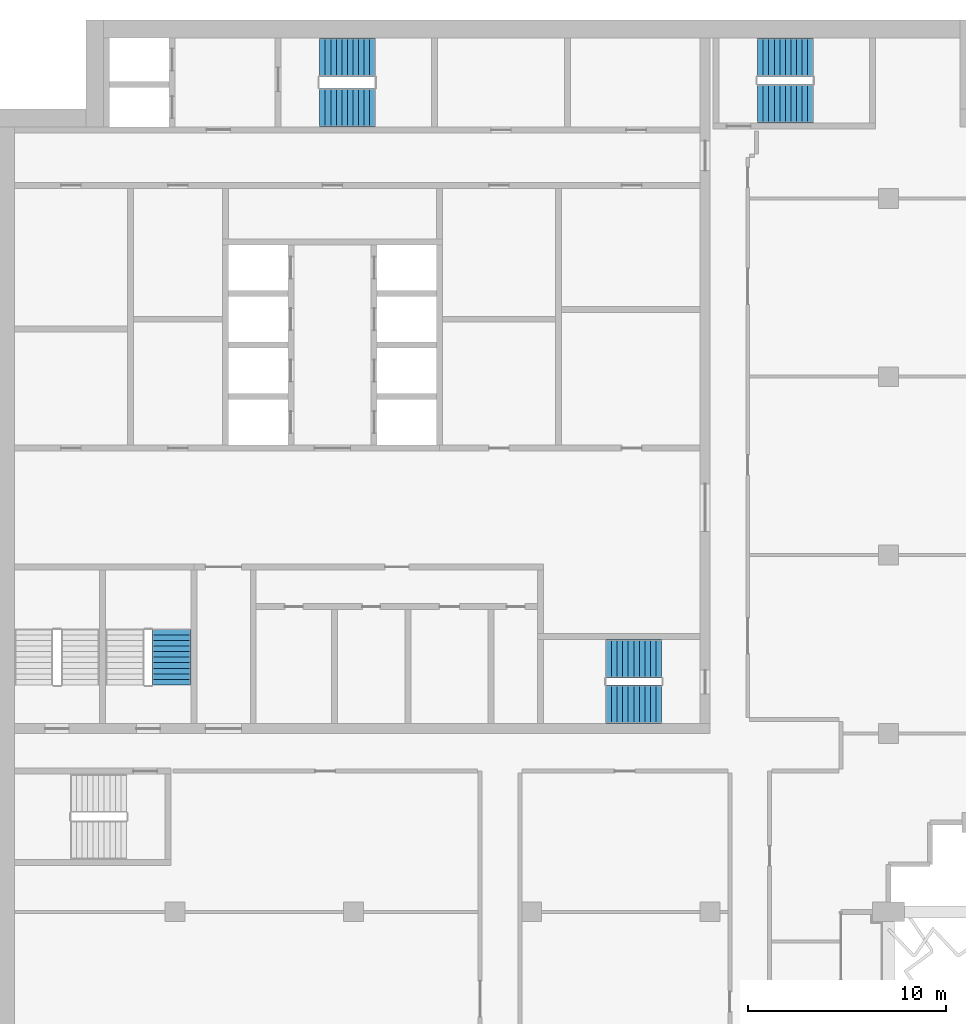
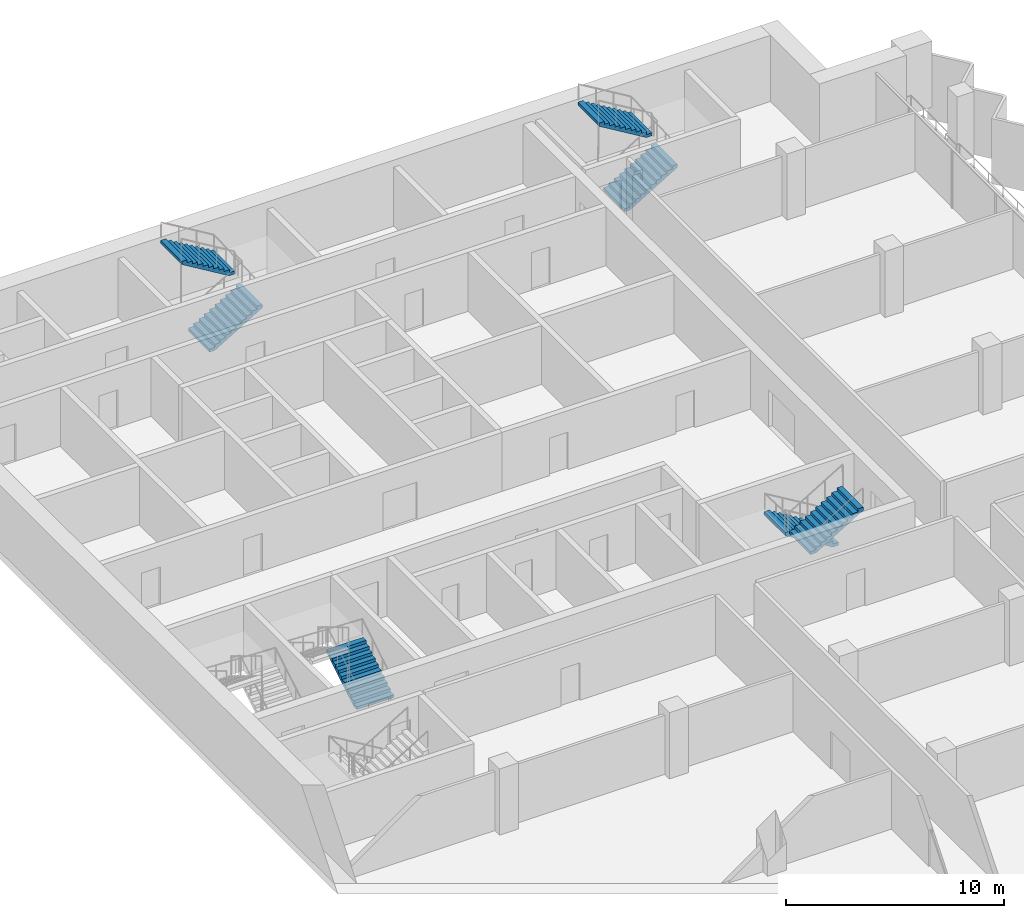
# One storey, part 12 of 16: 7 stair flights, 4 elements without a shape of their own.
"""IFC4 building model written with IfcOpenShell, lengths in metres."""

from ifc_helpers import new_model, si_unit, direction, frame, origin, place, context, subcontext, project, spatial, polyline, outline, extrude, material, type_object, element, aggregate, save


model = new_model("IFC4")

# Units and contexts
model_context = context("Model", 3, precision=1e-05, world=origin(), true_north=direction((0.0, 1.0)))
body_context = subcontext(model_context, "Body", "Model", "MODEL_VIEW")
ifc_project = project(units=[si_unit("LENGTHUNIT", "METRE"), si_unit("AREAUNIT", "SQUARE_METRE"), si_unit("VOLUMEUNIT", "CUBIC_METRE"), si_unit("PLANEANGLEUNIT", "RADIAN"), si_unit("MASSUNIT", "GRAM", prefix="KILO")], contexts=[model_context])

# Site, building, storey
site_placement = place(None, origin())
site = spatial("IfcSite", under=ifc_project, at=site_placement, CompositionType="ELEMENT")
building_placement = place(site_placement, origin())
building = spatial("IfcBuilding", under=site, at=building_placement, Name="Hunhe Ridgeline Campus", CompositionType="ELEMENT")
storey_placement = place(building_placement, frame((0.0, 0.0, 239.199951171875)))
storey = spatial("IfcBuildingStorey", under=building, at=storey_placement, Name="L61", CompositionType="ELEMENT", Elevation=239.199951171875)

# Stair, stair flights
ifc_material = material(Name="Concrete C40", Category="concrete")
stair_type = type_object("IfcStairType", Name="Reinforced concrete dog-leg stair 1950 Concrete C40", PredefinedType="HALF_TURN_STAIR", material=ifc_material)
stair_1_placement = place(storey_placement, origin())
stair_1 = element("IfcStair", 1, at=stair_1_placement, inside=storey, type_object=stair_type, Name="L61 S1", PredefinedType="HALF_TURN_STAIR")
stair_flight_type = type_object("IfcStairFlightType", Name="Reinforced concrete stair flight 1950 Concrete C40", PredefinedType="STRAIGHT", material=ifc_material)
stair_flight_1_placement = place(storey_placement, frame((16.300048828125, 94.574951171875, 0.0), z_axis=(0.0, 0.0, 1.0), x_axis=(1.0, 0.0, 0.0)))
stair_flight_1 = element("IfcStairFlight", 2, at=stair_flight_1_placement, type_object=stair_flight_type, Name="ST1 flight 1", NumberOfRisers=11, NumberOfTreads=10, PredefinedType="STRAIGHT", RiserHeight=0.168181818, TreadLength=0.28, context=body_context, shape_type="SweptSolid", body=[
    extrude(outline(polyline([(0.0, 0.0), (0.0, 0.168212890625), (0.280029296875, 0.168212890625), (0.280029296875, 0.33642578125), (0.56005859375, 0.33642578125), (0.56005859375, 0.504638671875), (0.840087890625, 0.504638671875), (0.840087890625, 0.672607421875), (1.1201171875, 0.672607421875), (1.1201171875, 0.8408203125), (1.39990234375, 0.8408203125), (1.39990234375, 1.009033203125), (1.679931640625, 1.009033203125), (1.679931640625, 1.17724609375), (1.9599609375, 1.17724609375), (1.9599609375, 1.345458984375), (2.239990234375, 1.345458984375), (2.239990234375, 1.513671875), (2.52001953125, 1.513671875), (2.52001953125, 1.681884765625), (2.800048828125, 1.681884765625), (2.800048828125, 1.85009765625), (2.800048828125, 1.5068359375), (0.291015625, 0.0), (0.0, 0.0)])), frame((0.0, 0.97509765625, 0.0), z_axis=(0.0, -1.0, 0.0), x_axis=(1.0, 0.0, 0.0)), (0.0, 0.0, 1.0), 1.949951171875),
    extrude(outline(polyline([(0.030029296875, 0.030029296875), (0.030029296875, 0.13818359375), (0.31005859375, 0.13818359375), (0.31005859375, 0.306396484375), (0.590087890625, 0.306396484375), (0.590087890625, 0.474609375), (0.8701171875, 0.474609375), (0.8701171875, 0.642578125), (1.14990234375, 0.642578125), (1.14990234375, 0.810791015625), (1.429931640625, 0.810791015625), (1.429931640625, 0.97900390625), (1.7099609375, 0.97900390625), (1.7099609375, 1.147216796875), (1.989990234375, 1.147216796875), (1.989990234375, 1.3154296875), (2.27001953125, 1.3154296875), (2.27001953125, 1.483642578125), (2.550048828125, 1.483642578125), (2.550048828125, 1.65185546875), (2.77001953125, 1.65185546875), (2.77001953125, 1.52392578125), (0.28271484375, 0.030029296875), (0.030029296875, 0.030029296875)])), frame((0.0, -0.070068359375, 0.0), z_axis=(0.0, -1.0, 0.0), x_axis=(1.0, 0.0, 0.0)), (0.0, 0.0, 1.0), 0.019775390625),
    extrude(outline(polyline([(0.030029296875, 0.030029296875), (0.030029296875, 0.13818359375), (0.31005859375, 0.13818359375), (0.31005859375, 0.306396484375), (0.590087890625, 0.306396484375), (0.590087890625, 0.474609375), (0.8701171875, 0.474609375), (0.8701171875, 0.642578125), (1.14990234375, 0.642578125), (1.14990234375, 0.810791015625), (1.429931640625, 0.810791015625), (1.429931640625, 0.97900390625), (1.7099609375, 0.97900390625), (1.7099609375, 1.147216796875), (1.989990234375, 1.147216796875), (1.989990234375, 1.3154296875), (2.27001953125, 1.3154296875), (2.27001953125, 1.483642578125), (2.550048828125, 1.483642578125), (2.550048828125, 1.65185546875), (2.77001953125, 1.65185546875), (2.77001953125, 1.52392578125), (0.28271484375, 0.030029296875), (0.030029296875, 0.030029296875)])), frame((0.0, 0.010009765625, 0.0), z_axis=(0.0, -1.0, 0.0), x_axis=(1.0, 0.0, 0.0)), (0.0, 0.0, 1.0), 0.019775390625),
    extrude(outline(polyline([(0.030029296875, 0.030029296875), (0.030029296875, 0.13818359375), (0.31005859375, 0.13818359375), (0.31005859375, 0.306396484375), (0.590087890625, 0.306396484375), (0.590087890625, 0.474609375), (0.8701171875, 0.474609375), (0.8701171875, 0.642578125), (1.14990234375, 0.642578125), (1.14990234375, 0.810791015625), (1.429931640625, 0.810791015625), (1.429931640625, 0.97900390625), (1.7099609375, 0.97900390625), (1.7099609375, 1.147216796875), (1.989990234375, 1.147216796875), (1.989990234375, 1.3154296875), (2.27001953125, 1.3154296875), (2.27001953125, 1.483642578125), (2.550048828125, 1.483642578125), (2.550048828125, 1.65185546875), (2.77001953125, 1.65185546875), (2.77001953125, 1.52392578125), (0.28271484375, 0.030029296875), (0.030029296875, 0.030029296875)])), frame((0.0, 0.090087890625, 0.0), z_axis=(0.0, -1.0, 0.0), x_axis=(1.0, 0.0, 0.0)), (0.0, 0.0, 1.0), 0.019775390625),
])
stair_flight_2_placement = place(storey_placement, frame((19.10009765625, 97.125, 1.85009765625), z_axis=(0.0, 0.0, 1.0), x_axis=(-1.0, 0.0, 0.0)))
stair_flight_2 = element("IfcStairFlight", 3, at=stair_flight_2_placement, type_object=stair_flight_type, Name="ST1 flight 2", NumberOfRisers=11, NumberOfTreads=10, PredefinedType="STRAIGHT", RiserHeight=0.168181818, TreadLength=0.28, context=body_context, shape_type="SweptSolid", body=[
    extrude(outline(polyline([(0.0, 0.0), (0.0, 0.168212890625), (0.280029296875, 0.168212890625), (0.280029296875, 0.33642578125), (0.56005859375, 0.33642578125), (0.56005859375, 0.504638671875), (0.840087890625, 0.504638671875), (0.840087890625, 0.672607421875), (1.1201171875, 0.672607421875), (1.1201171875, 0.8408203125), (1.39990234375, 0.8408203125), (1.39990234375, 1.009033203125), (1.679931640625, 1.009033203125), (1.679931640625, 1.17724609375), (1.9599609375, 1.17724609375), (1.9599609375, 1.345458984375), (2.239990234375, 1.345458984375), (2.239990234375, 1.513671875), (2.52001953125, 1.513671875), (2.52001953125, 1.681884765625), (2.800048828125, 1.681884765625), (2.800048828125, 1.85009765625), (2.800048828125, 1.5068359375), (0.291015625, 0.0), (0.0, 0.0)])), frame((0.0, 0.97509765625, 0.0), z_axis=(0.0, -1.0, 0.0), x_axis=(1.0, 0.0, 0.0)), (0.0, 0.0, 1.0), 1.949951171875),
    extrude(outline(polyline([(0.030029296875, 0.030029296875), (0.030029296875, 0.13818359375), (0.31005859375, 0.13818359375), (0.31005859375, 0.306396484375), (0.590087890625, 0.306396484375), (0.590087890625, 0.474609375), (0.8701171875, 0.474609375), (0.8701171875, 0.642578125), (1.14990234375, 0.642578125), (1.14990234375, 0.810791015625), (1.429931640625, 0.810791015625), (1.429931640625, 0.97900390625), (1.7099609375, 0.97900390625), (1.7099609375, 1.147216796875), (1.989990234375, 1.147216796875), (1.989990234375, 1.3154296875), (2.27001953125, 1.3154296875), (2.27001953125, 1.483642578125), (2.550048828125, 1.483642578125), (2.550048828125, 1.65185546875), (2.77001953125, 1.65185546875), (2.77001953125, 1.52392578125), (0.28271484375, 0.030029296875), (0.030029296875, 0.030029296875)])), frame((0.0, -0.070068359375, 0.0), z_axis=(0.0, -1.0, 0.0), x_axis=(1.0, 0.0, 0.0)), (0.0, 0.0, 1.0), 0.019775390625),
    extrude(outline(polyline([(0.030029296875, 0.030029296875), (0.030029296875, 0.13818359375), (0.31005859375, 0.13818359375), (0.31005859375, 0.306396484375), (0.590087890625, 0.306396484375), (0.590087890625, 0.474609375), (0.8701171875, 0.474609375), (0.8701171875, 0.642578125), (1.14990234375, 0.642578125), (1.14990234375, 0.810791015625), (1.429931640625, 0.810791015625), (1.429931640625, 0.97900390625), (1.7099609375, 0.97900390625), (1.7099609375, 1.147216796875), (1.989990234375, 1.147216796875), (1.989990234375, 1.3154296875), (2.27001953125, 1.3154296875), (2.27001953125, 1.483642578125), (2.550048828125, 1.483642578125), (2.550048828125, 1.65185546875), (2.77001953125, 1.65185546875), (2.77001953125, 1.52392578125), (0.28271484375, 0.030029296875), (0.030029296875, 0.030029296875)])), frame((0.0, 0.010009765625, 0.0), z_axis=(0.0, -1.0, 0.0), x_axis=(1.0, 0.0, 0.0)), (0.0, 0.0, 1.0), 0.019775390625),
    extrude(outline(polyline([(0.030029296875, 0.030029296875), (0.030029296875, 0.13818359375), (0.31005859375, 0.13818359375), (0.31005859375, 0.306396484375), (0.590087890625, 0.306396484375), (0.590087890625, 0.474609375), (0.8701171875, 0.474609375), (0.8701171875, 0.642578125), (1.14990234375, 0.642578125), (1.14990234375, 0.810791015625), (1.429931640625, 0.810791015625), (1.429931640625, 0.97900390625), (1.7099609375, 0.97900390625), (1.7099609375, 1.147216796875), (1.989990234375, 1.147216796875), (1.989990234375, 1.3154296875), (2.27001953125, 1.3154296875), (2.27001953125, 1.483642578125), (2.550048828125, 1.483642578125), (2.550048828125, 1.65185546875), (2.77001953125, 1.65185546875), (2.77001953125, 1.52392578125), (0.28271484375, 0.030029296875), (0.030029296875, 0.030029296875)])), frame((0.0, 0.090087890625, 0.0), z_axis=(0.0, -1.0, 0.0), x_axis=(1.0, 0.0, 0.0)), (0.0, 0.0, 1.0), 0.019775390625),
])
aggregate(stair_1, [stair_flight_1, stair_flight_2])

stair_2_placement = place(storey_placement, origin())
stair_2 = element("IfcStair", 4, at=stair_2_placement, inside=storey, type_object=stair_type, Name="L61 S2", PredefinedType="HALF_TURN_STAIR")
stair_flight_3_placement = place(storey_placement, frame((33.550048828125, 66.77490234375, 0.0), z_axis=(0.0, 0.0, 1.0), x_axis=(-1.0, 0.0, 0.0)))
stair_flight_3 = element("IfcStairFlight", 5, at=stair_flight_3_placement, type_object=stair_flight_type, Name="ST2 flight 1", NumberOfRisers=11, NumberOfTreads=10, PredefinedType="STRAIGHT", RiserHeight=0.168181818, TreadLength=0.28, context=body_context, shape_type="SweptSolid", body=[
    extrude(outline(polyline([(0.0, 0.0), (0.0, 0.168212890625), (0.280029296875, 0.168212890625), (0.280029296875, 0.33642578125), (0.56005859375, 0.33642578125), (0.56005859375, 0.504638671875), (0.840087890625, 0.504638671875), (0.840087890625, 0.672607421875), (1.1201171875, 0.672607421875), (1.1201171875, 0.8408203125), (1.39990234375, 0.8408203125), (1.39990234375, 1.009033203125), (1.679931640625, 1.009033203125), (1.679931640625, 1.17724609375), (1.9599609375, 1.17724609375), (1.9599609375, 1.345458984375), (2.239990234375, 1.345458984375), (2.239990234375, 1.513671875), (2.52001953125, 1.513671875), (2.52001953125, 1.681884765625), (2.800048828125, 1.681884765625), (2.800048828125, 1.85009765625), (2.800048828125, 1.5068359375), (0.291015625, 0.0), (0.0, 0.0)])), frame((0.0, 0.97509765625, 0.0), z_axis=(0.0, -1.0, 0.0), x_axis=(1.0, 0.0, 0.0)), (0.0, 0.0, 1.0), 1.949951171875),
    extrude(outline(polyline([(0.030029296875, 0.030029296875), (0.030029296875, 0.13818359375), (0.31005859375, 0.13818359375), (0.31005859375, 0.306396484375), (0.590087890625, 0.306396484375), (0.590087890625, 0.474609375), (0.8701171875, 0.474609375), (0.8701171875, 0.642578125), (1.14990234375, 0.642578125), (1.14990234375, 0.810791015625), (1.429931640625, 0.810791015625), (1.429931640625, 0.97900390625), (1.7099609375, 0.97900390625), (1.7099609375, 1.147216796875), (1.989990234375, 1.147216796875), (1.989990234375, 1.3154296875), (2.27001953125, 1.3154296875), (2.27001953125, 1.483642578125), (2.550048828125, 1.483642578125), (2.550048828125, 1.65185546875), (2.77001953125, 1.65185546875), (2.77001953125, 1.52392578125), (0.28271484375, 0.030029296875), (0.030029296875, 0.030029296875)])), frame((0.0, -0.070068359375, 0.0), z_axis=(0.0, -1.0, 0.0), x_axis=(1.0, 0.0, 0.0)), (0.0, 0.0, 1.0), 0.019775390625),
    extrude(outline(polyline([(0.030029296875, 0.030029296875), (0.030029296875, 0.13818359375), (0.31005859375, 0.13818359375), (0.31005859375, 0.306396484375), (0.590087890625, 0.306396484375), (0.590087890625, 0.474609375), (0.8701171875, 0.474609375), (0.8701171875, 0.642578125), (1.14990234375, 0.642578125), (1.14990234375, 0.810791015625), (1.429931640625, 0.810791015625), (1.429931640625, 0.97900390625), (1.7099609375, 0.97900390625), (1.7099609375, 1.147216796875), (1.989990234375, 1.147216796875), (1.989990234375, 1.3154296875), (2.27001953125, 1.3154296875), (2.27001953125, 1.483642578125), (2.550048828125, 1.483642578125), (2.550048828125, 1.65185546875), (2.77001953125, 1.65185546875), (2.77001953125, 1.52392578125), (0.28271484375, 0.030029296875), (0.030029296875, 0.030029296875)])), frame((0.0, 0.010009765625, 0.0), z_axis=(0.0, -1.0, 0.0), x_axis=(1.0, 0.0, 0.0)), (0.0, 0.0, 1.0), 0.019775390625),
    extrude(outline(polyline([(0.030029296875, 0.030029296875), (0.030029296875, 0.13818359375), (0.31005859375, 0.13818359375), (0.31005859375, 0.306396484375), (0.590087890625, 0.306396484375), (0.590087890625, 0.474609375), (0.8701171875, 0.474609375), (0.8701171875, 0.642578125), (1.14990234375, 0.642578125), (1.14990234375, 0.810791015625), (1.429931640625, 0.810791015625), (1.429931640625, 0.97900390625), (1.7099609375, 0.97900390625), (1.7099609375, 1.147216796875), (1.989990234375, 1.147216796875), (1.989990234375, 1.3154296875), (2.27001953125, 1.3154296875), (2.27001953125, 1.483642578125), (2.550048828125, 1.483642578125), (2.550048828125, 1.65185546875), (2.77001953125, 1.65185546875), (2.77001953125, 1.52392578125), (0.28271484375, 0.030029296875), (0.030029296875, 0.030029296875)])), frame((0.0, 0.090087890625, 0.0), z_axis=(0.0, -1.0, 0.0), x_axis=(1.0, 0.0, 0.0)), (0.0, 0.0, 1.0), 0.019775390625),
])
stair_flight_4_placement = place(storey_placement, frame((30.75, 64.47509765625, 1.85009765625), z_axis=(0.0, 0.0, 1.0), x_axis=(1.0, 0.0, 0.0)))
stair_flight_4 = element("IfcStairFlight", 6, at=stair_flight_4_placement, type_object=stair_flight_type, Name="ST2 flight 2", NumberOfRisers=11, NumberOfTreads=10, PredefinedType="STRAIGHT", RiserHeight=0.168181818, TreadLength=0.28, context=body_context, shape_type="SweptSolid", body=[
    extrude(outline(polyline([(0.0, 0.0), (0.0, 0.168212890625), (0.280029296875, 0.168212890625), (0.280029296875, 0.33642578125), (0.56005859375, 0.33642578125), (0.56005859375, 0.504638671875), (0.840087890625, 0.504638671875), (0.840087890625, 0.672607421875), (1.1201171875, 0.672607421875), (1.1201171875, 0.8408203125), (1.39990234375, 0.8408203125), (1.39990234375, 1.009033203125), (1.679931640625, 1.009033203125), (1.679931640625, 1.17724609375), (1.9599609375, 1.17724609375), (1.9599609375, 1.345458984375), (2.239990234375, 1.345458984375), (2.239990234375, 1.513671875), (2.52001953125, 1.513671875), (2.52001953125, 1.681884765625), (2.800048828125, 1.681884765625), (2.800048828125, 1.85009765625), (2.800048828125, 1.5068359375), (0.291015625, 0.0), (0.0, 0.0)])), frame((0.0, 0.97509765625, 0.0), z_axis=(0.0, -1.0, 0.0), x_axis=(1.0, 0.0, 0.0)), (0.0, 0.0, 1.0), 1.949951171875),
    extrude(outline(polyline([(0.030029296875, 0.030029296875), (0.030029296875, 0.13818359375), (0.31005859375, 0.13818359375), (0.31005859375, 0.306396484375), (0.590087890625, 0.306396484375), (0.590087890625, 0.474609375), (0.8701171875, 0.474609375), (0.8701171875, 0.642578125), (1.14990234375, 0.642578125), (1.14990234375, 0.810791015625), (1.429931640625, 0.810791015625), (1.429931640625, 0.97900390625), (1.7099609375, 0.97900390625), (1.7099609375, 1.147216796875), (1.989990234375, 1.147216796875), (1.989990234375, 1.3154296875), (2.27001953125, 1.3154296875), (2.27001953125, 1.483642578125), (2.550048828125, 1.483642578125), (2.550048828125, 1.65185546875), (2.77001953125, 1.65185546875), (2.77001953125, 1.52392578125), (0.28271484375, 0.030029296875), (0.030029296875, 0.030029296875)])), frame((0.0, -0.070068359375, 0.0), z_axis=(0.0, -1.0, 0.0), x_axis=(1.0, 0.0, 0.0)), (0.0, 0.0, 1.0), 0.019775390625),
    extrude(outline(polyline([(0.030029296875, 0.030029296875), (0.030029296875, 0.13818359375), (0.31005859375, 0.13818359375), (0.31005859375, 0.306396484375), (0.590087890625, 0.306396484375), (0.590087890625, 0.474609375), (0.8701171875, 0.474609375), (0.8701171875, 0.642578125), (1.14990234375, 0.642578125), (1.14990234375, 0.810791015625), (1.429931640625, 0.810791015625), (1.429931640625, 0.97900390625), (1.7099609375, 0.97900390625), (1.7099609375, 1.147216796875), (1.989990234375, 1.147216796875), (1.989990234375, 1.3154296875), (2.27001953125, 1.3154296875), (2.27001953125, 1.483642578125), (2.550048828125, 1.483642578125), (2.550048828125, 1.65185546875), (2.77001953125, 1.65185546875), (2.77001953125, 1.52392578125), (0.28271484375, 0.030029296875), (0.030029296875, 0.030029296875)])), frame((0.0, 0.010009765625, 0.0), z_axis=(0.0, -1.0, 0.0), x_axis=(1.0, 0.0, 0.0)), (0.0, 0.0, 1.0), 0.019775390625),
    extrude(outline(polyline([(0.030029296875, 0.030029296875), (0.030029296875, 0.13818359375), (0.31005859375, 0.13818359375), (0.31005859375, 0.306396484375), (0.590087890625, 0.306396484375), (0.590087890625, 0.474609375), (0.8701171875, 0.474609375), (0.8701171875, 0.642578125), (1.14990234375, 0.642578125), (1.14990234375, 0.810791015625), (1.429931640625, 0.810791015625), (1.429931640625, 0.97900390625), (1.7099609375, 0.97900390625), (1.7099609375, 1.147216796875), (1.989990234375, 1.147216796875), (1.989990234375, 1.3154296875), (2.27001953125, 1.3154296875), (2.27001953125, 1.483642578125), (2.550048828125, 1.483642578125), (2.550048828125, 1.65185546875), (2.77001953125, 1.65185546875), (2.77001953125, 1.52392578125), (0.28271484375, 0.030029296875), (0.030029296875, 0.030029296875)])), frame((0.0, 0.090087890625, 0.0), z_axis=(0.0, -1.0, 0.0), x_axis=(1.0, 0.0, 0.0)), (0.0, 0.0, 1.0), 0.019775390625),
])
aggregate(stair_2, [stair_flight_3, stair_flight_4])

# Stair, stair flight
stair_3_placement = place(storey_placement, origin())
stair_3 = element("IfcStair", 7, at=stair_3_placement, inside=storey, type_object=stair_type, Name="L61 S4", PredefinedType="HALF_TURN_STAIR")
stair_flight_5_placement = place(storey_placement, frame((8.824951171875, 65.449951171875, 0.0), z_axis=(0.0, 0.0, 1.0), x_axis=(0.0, 1.0, 0.0)))
stair_flight_5 = element("IfcStairFlight", 8, at=stair_flight_5_placement, type_object=stair_flight_type, Name="ST4 flight 1", NumberOfRisers=11, NumberOfTreads=10, PredefinedType="STRAIGHT", RiserHeight=0.168181818, TreadLength=0.28, context=body_context, shape_type="SweptSolid", body=[
    extrude(outline(polyline([(0.0, 0.0), (0.0, 0.168212890625), (0.280029296875, 0.168212890625), (0.280029296875, 0.33642578125), (0.56005859375, 0.33642578125), (0.56005859375, 0.504638671875), (0.840087890625, 0.504638671875), (0.840087890625, 0.672607421875), (1.1201171875, 0.672607421875), (1.1201171875, 0.8408203125), (1.39990234375, 0.8408203125), (1.39990234375, 1.009033203125), (1.679931640625, 1.009033203125), (1.679931640625, 1.17724609375), (1.9599609375, 1.17724609375), (1.9599609375, 1.345458984375), (2.239990234375, 1.345458984375), (2.239990234375, 1.513671875), (2.52001953125, 1.513671875), (2.52001953125, 1.681884765625), (2.800048828125, 1.681884765625), (2.800048828125, 1.85009765625), (2.800048828125, 1.5068359375), (0.291015625, 0.0), (0.0, 0.0)])), frame((0.0, 0.97509765625, 0.0), z_axis=(0.0, -1.0, 0.0), x_axis=(1.0, 0.0, 0.0)), (0.0, 0.0, 1.0), 1.949951171875),
    extrude(outline(polyline([(0.030029296875, 0.030029296875), (0.030029296875, 0.13818359375), (0.31005859375, 0.13818359375), (0.31005859375, 0.306396484375), (0.590087890625, 0.306396484375), (0.590087890625, 0.474609375), (0.8701171875, 0.474609375), (0.8701171875, 0.642578125), (1.14990234375, 0.642578125), (1.14990234375, 0.810791015625), (1.429931640625, 0.810791015625), (1.429931640625, 0.97900390625), (1.7099609375, 0.97900390625), (1.7099609375, 1.147216796875), (1.989990234375, 1.147216796875), (1.989990234375, 1.3154296875), (2.27001953125, 1.3154296875), (2.27001953125, 1.483642578125), (2.550048828125, 1.483642578125), (2.550048828125, 1.65185546875), (2.77001953125, 1.65185546875), (2.77001953125, 1.52392578125), (0.28271484375, 0.030029296875), (0.030029296875, 0.030029296875)])), frame((0.0, -0.070068359375, 0.0), z_axis=(0.0, -1.0, 0.0), x_axis=(1.0, 0.0, 0.0)), (0.0, 0.0, 1.0), 0.019775390625),
    extrude(outline(polyline([(0.030029296875, 0.030029296875), (0.030029296875, 0.13818359375), (0.31005859375, 0.13818359375), (0.31005859375, 0.306396484375), (0.590087890625, 0.306396484375), (0.590087890625, 0.474609375), (0.8701171875, 0.474609375), (0.8701171875, 0.642578125), (1.14990234375, 0.642578125), (1.14990234375, 0.810791015625), (1.429931640625, 0.810791015625), (1.429931640625, 0.97900390625), (1.7099609375, 0.97900390625), (1.7099609375, 1.147216796875), (1.989990234375, 1.147216796875), (1.989990234375, 1.3154296875), (2.27001953125, 1.3154296875), (2.27001953125, 1.483642578125), (2.550048828125, 1.483642578125), (2.550048828125, 1.65185546875), (2.77001953125, 1.65185546875), (2.77001953125, 1.52392578125), (0.28271484375, 0.030029296875), (0.030029296875, 0.030029296875)])), frame((0.0, 0.010009765625, 0.0), z_axis=(0.0, -1.0, 0.0), x_axis=(1.0, 0.0, 0.0)), (0.0, 0.0, 1.0), 0.019775390625),
    extrude(outline(polyline([(0.030029296875, 0.030029296875), (0.030029296875, 0.13818359375), (0.31005859375, 0.13818359375), (0.31005859375, 0.306396484375), (0.590087890625, 0.306396484375), (0.590087890625, 0.474609375), (0.8701171875, 0.474609375), (0.8701171875, 0.642578125), (1.14990234375, 0.642578125), (1.14990234375, 0.810791015625), (1.429931640625, 0.810791015625), (1.429931640625, 0.97900390625), (1.7099609375, 0.97900390625), (1.7099609375, 1.147216796875), (1.989990234375, 1.147216796875), (1.989990234375, 1.3154296875), (2.27001953125, 1.3154296875), (2.27001953125, 1.483642578125), (2.550048828125, 1.483642578125), (2.550048828125, 1.65185546875), (2.77001953125, 1.65185546875), (2.77001953125, 1.52392578125), (0.28271484375, 0.030029296875), (0.030029296875, 0.030029296875)])), frame((0.0, 0.090087890625, 0.0), z_axis=(0.0, -1.0, 0.0), x_axis=(1.0, 0.0, 0.0)), (0.0, 0.0, 1.0), 0.019775390625),
])
aggregate(stair_3, [stair_flight_5])

# Stair, stair flights
stair_4_placement = place(storey_placement, origin())
stair_4 = element("IfcStair", 9, at=stair_4_placement, inside=storey, type_object=stair_type, Name="L61 E1", PredefinedType="HALF_TURN_STAIR")
stair_flight_6_placement = place(storey_placement, frame((38.39990234375, 94.77490234375, 0.0), z_axis=(0.0, 0.0, 1.0), x_axis=(1.0, 0.0, 0.0)))
stair_flight_6 = element("IfcStairFlight", 10, at=stair_flight_6_placement, type_object=stair_flight_type, Name="ST5 flight 1", NumberOfRisers=11, NumberOfTreads=10, PredefinedType="STRAIGHT", RiserHeight=0.168181818, TreadLength=0.28, context=body_context, shape_type="SweptSolid", body=[
    extrude(outline(polyline([(0.0, 0.0), (0.0, 0.168212890625), (0.280029296875, 0.168212890625), (0.280029296875, 0.33642578125), (0.56005859375, 0.33642578125), (0.56005859375, 0.504638671875), (0.840087890625, 0.504638671875), (0.840087890625, 0.672607421875), (1.1201171875, 0.672607421875), (1.1201171875, 0.8408203125), (1.39990234375, 0.8408203125), (1.39990234375, 1.009033203125), (1.679931640625, 1.009033203125), (1.679931640625, 1.17724609375), (1.9599609375, 1.17724609375), (1.9599609375, 1.345458984375), (2.239990234375, 1.345458984375), (2.239990234375, 1.513671875), (2.52001953125, 1.513671875), (2.52001953125, 1.681884765625), (2.800048828125, 1.681884765625), (2.800048828125, 1.85009765625), (2.800048828125, 1.5068359375), (0.291015625, 0.0), (0.0, 0.0)])), frame((0.0, 0.97509765625, 0.0), z_axis=(0.0, -1.0, 0.0), x_axis=(1.0, 0.0, 0.0)), (0.0, 0.0, 1.0), 1.949951171875),
    extrude(outline(polyline([(0.030029296875, 0.030029296875), (0.030029296875, 0.13818359375), (0.31005859375, 0.13818359375), (0.31005859375, 0.306396484375), (0.590087890625, 0.306396484375), (0.590087890625, 0.474609375), (0.8701171875, 0.474609375), (0.8701171875, 0.642578125), (1.14990234375, 0.642578125), (1.14990234375, 0.810791015625), (1.429931640625, 0.810791015625), (1.429931640625, 0.97900390625), (1.7099609375, 0.97900390625), (1.7099609375, 1.147216796875), (1.989990234375, 1.147216796875), (1.989990234375, 1.3154296875), (2.27001953125, 1.3154296875), (2.27001953125, 1.483642578125), (2.550048828125, 1.483642578125), (2.550048828125, 1.65185546875), (2.77001953125, 1.65185546875), (2.77001953125, 1.52392578125), (0.28271484375, 0.030029296875), (0.030029296875, 0.030029296875)])), frame((0.0, -0.070068359375, 0.0), z_axis=(0.0, -1.0, 0.0), x_axis=(1.0, 0.0, 0.0)), (0.0, 0.0, 1.0), 0.019775390625),
    extrude(outline(polyline([(0.030029296875, 0.030029296875), (0.030029296875, 0.13818359375), (0.31005859375, 0.13818359375), (0.31005859375, 0.306396484375), (0.590087890625, 0.306396484375), (0.590087890625, 0.474609375), (0.8701171875, 0.474609375), (0.8701171875, 0.642578125), (1.14990234375, 0.642578125), (1.14990234375, 0.810791015625), (1.429931640625, 0.810791015625), (1.429931640625, 0.97900390625), (1.7099609375, 0.97900390625), (1.7099609375, 1.147216796875), (1.989990234375, 1.147216796875), (1.989990234375, 1.3154296875), (2.27001953125, 1.3154296875), (2.27001953125, 1.483642578125), (2.550048828125, 1.483642578125), (2.550048828125, 1.65185546875), (2.77001953125, 1.65185546875), (2.77001953125, 1.52392578125), (0.28271484375, 0.030029296875), (0.030029296875, 0.030029296875)])), frame((0.0, 0.010009765625, 0.0), z_axis=(0.0, -1.0, 0.0), x_axis=(1.0, 0.0, 0.0)), (0.0, 0.0, 1.0), 0.019775390625),
    extrude(outline(polyline([(0.030029296875, 0.030029296875), (0.030029296875, 0.13818359375), (0.31005859375, 0.13818359375), (0.31005859375, 0.306396484375), (0.590087890625, 0.306396484375), (0.590087890625, 0.474609375), (0.8701171875, 0.474609375), (0.8701171875, 0.642578125), (1.14990234375, 0.642578125), (1.14990234375, 0.810791015625), (1.429931640625, 0.810791015625), (1.429931640625, 0.97900390625), (1.7099609375, 0.97900390625), (1.7099609375, 1.147216796875), (1.989990234375, 1.147216796875), (1.989990234375, 1.3154296875), (2.27001953125, 1.3154296875), (2.27001953125, 1.483642578125), (2.550048828125, 1.483642578125), (2.550048828125, 1.65185546875), (2.77001953125, 1.65185546875), (2.77001953125, 1.52392578125), (0.28271484375, 0.030029296875), (0.030029296875, 0.030029296875)])), frame((0.0, 0.090087890625, 0.0), z_axis=(0.0, -1.0, 0.0), x_axis=(1.0, 0.0, 0.0)), (0.0, 0.0, 1.0), 0.019775390625),
])
stair_flight_7_placement = place(storey_placement, frame((41.199951171875, 97.125, 1.85009765625), z_axis=(0.0, 0.0, 1.0), x_axis=(-1.0, 0.0, 0.0)))
stair_flight_7 = element("IfcStairFlight", 11, at=stair_flight_7_placement, type_object=stair_flight_type, Name="ST5 flight 2", NumberOfRisers=11, NumberOfTreads=10, PredefinedType="STRAIGHT", RiserHeight=0.168181818, TreadLength=0.28, context=body_context, shape_type="SweptSolid", body=[
    extrude(outline(polyline([(0.0, 0.0), (0.0, 0.168212890625), (0.280029296875, 0.168212890625), (0.280029296875, 0.33642578125), (0.56005859375, 0.33642578125), (0.56005859375, 0.504638671875), (0.840087890625, 0.504638671875), (0.840087890625, 0.672607421875), (1.1201171875, 0.672607421875), (1.1201171875, 0.8408203125), (1.39990234375, 0.8408203125), (1.39990234375, 1.009033203125), (1.679931640625, 1.009033203125), (1.679931640625, 1.17724609375), (1.9599609375, 1.17724609375), (1.9599609375, 1.345458984375), (2.239990234375, 1.345458984375), (2.239990234375, 1.513671875), (2.52001953125, 1.513671875), (2.52001953125, 1.681884765625), (2.800048828125, 1.681884765625), (2.800048828125, 1.85009765625), (2.800048828125, 1.5068359375), (0.291015625, 0.0), (0.0, 0.0)])), frame((0.0, 0.97509765625, 0.0), z_axis=(0.0, -1.0, 0.0), x_axis=(1.0, 0.0, 0.0)), (0.0, 0.0, 1.0), 1.949951171875),
    extrude(outline(polyline([(0.030029296875, 0.030029296875), (0.030029296875, 0.13818359375), (0.31005859375, 0.13818359375), (0.31005859375, 0.306396484375), (0.590087890625, 0.306396484375), (0.590087890625, 0.474609375), (0.8701171875, 0.474609375), (0.8701171875, 0.642578125), (1.14990234375, 0.642578125), (1.14990234375, 0.810791015625), (1.429931640625, 0.810791015625), (1.429931640625, 0.97900390625), (1.7099609375, 0.97900390625), (1.7099609375, 1.147216796875), (1.989990234375, 1.147216796875), (1.989990234375, 1.3154296875), (2.27001953125, 1.3154296875), (2.27001953125, 1.483642578125), (2.550048828125, 1.483642578125), (2.550048828125, 1.65185546875), (2.77001953125, 1.65185546875), (2.77001953125, 1.52392578125), (0.28271484375, 0.030029296875), (0.030029296875, 0.030029296875)])), frame((0.0, -0.070068359375, 0.0), z_axis=(0.0, -1.0, 0.0), x_axis=(1.0, 0.0, 0.0)), (0.0, 0.0, 1.0), 0.019775390625),
    extrude(outline(polyline([(0.030029296875, 0.030029296875), (0.030029296875, 0.13818359375), (0.31005859375, 0.13818359375), (0.31005859375, 0.306396484375), (0.590087890625, 0.306396484375), (0.590087890625, 0.474609375), (0.8701171875, 0.474609375), (0.8701171875, 0.642578125), (1.14990234375, 0.642578125), (1.14990234375, 0.810791015625), (1.429931640625, 0.810791015625), (1.429931640625, 0.97900390625), (1.7099609375, 0.97900390625), (1.7099609375, 1.147216796875), (1.989990234375, 1.147216796875), (1.989990234375, 1.3154296875), (2.27001953125, 1.3154296875), (2.27001953125, 1.483642578125), (2.550048828125, 1.483642578125), (2.550048828125, 1.65185546875), (2.77001953125, 1.65185546875), (2.77001953125, 1.52392578125), (0.28271484375, 0.030029296875), (0.030029296875, 0.030029296875)])), frame((0.0, 0.010009765625, 0.0), z_axis=(0.0, -1.0, 0.0), x_axis=(1.0, 0.0, 0.0)), (0.0, 0.0, 1.0), 0.019775390625),
    extrude(outline(polyline([(0.030029296875, 0.030029296875), (0.030029296875, 0.13818359375), (0.31005859375, 0.13818359375), (0.31005859375, 0.306396484375), (0.590087890625, 0.306396484375), (0.590087890625, 0.474609375), (0.8701171875, 0.474609375), (0.8701171875, 0.642578125), (1.14990234375, 0.642578125), (1.14990234375, 0.810791015625), (1.429931640625, 0.810791015625), (1.429931640625, 0.97900390625), (1.7099609375, 0.97900390625), (1.7099609375, 1.147216796875), (1.989990234375, 1.147216796875), (1.989990234375, 1.3154296875), (2.27001953125, 1.3154296875), (2.27001953125, 1.483642578125), (2.550048828125, 1.483642578125), (2.550048828125, 1.65185546875), (2.77001953125, 1.65185546875), (2.77001953125, 1.52392578125), (0.28271484375, 0.030029296875), (0.030029296875, 0.030029296875)])), frame((0.0, 0.090087890625, 0.0), z_axis=(0.0, -1.0, 0.0), x_axis=(1.0, 0.0, 0.0)), (0.0, 0.0, 1.0), 0.019775390625),
])
aggregate(stair_4, [stair_flight_6, stair_flight_7])

save(model, "model.ifc")
